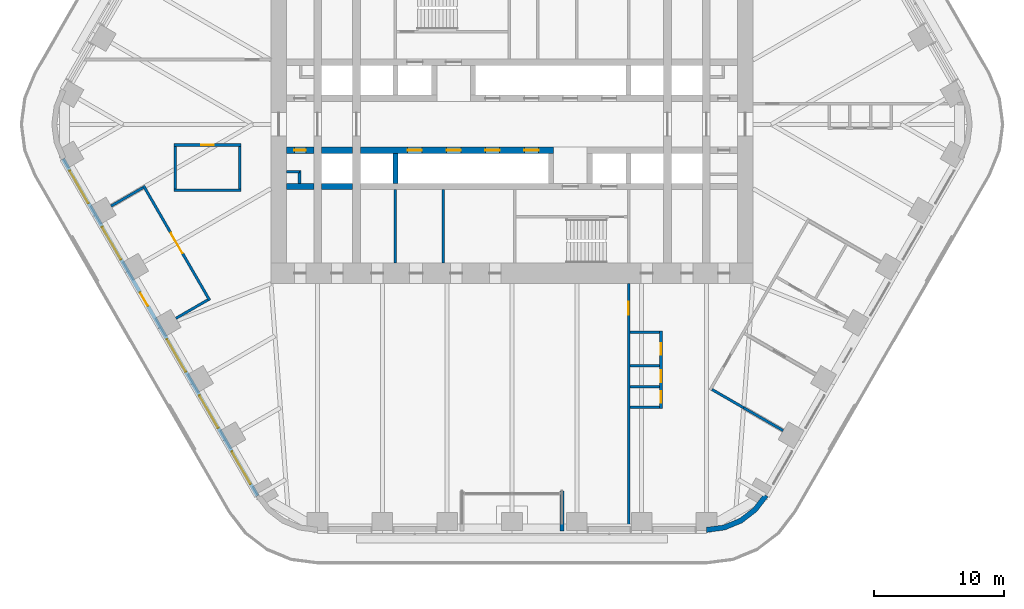
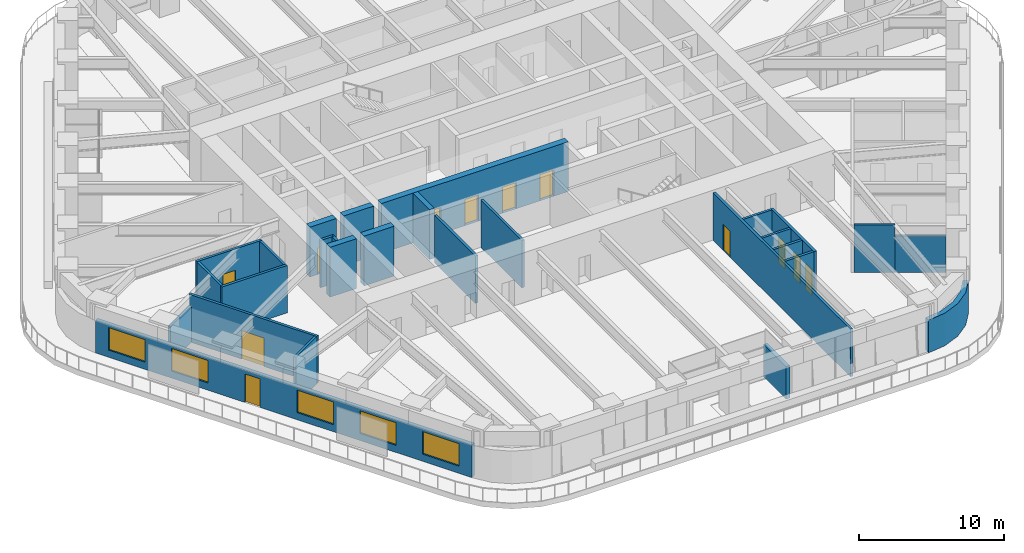
# One storey, part 17 of 24: 28 walls, 12 doors, 5 windows, 17 openings.
"""IFC4 building model written with IfcOpenShell, lengths in metres."""

from ifc_helpers import new_model, si_unit, direction, frame, frame_2d, origin, place, context, subcontext, project, spatial, polyline, rectangle, outline, extrude, material, layer, layer_set, type_object, element, fill, save


model = new_model("IFC4")

# Units and contexts
model_context = context("Model", 3, precision=1e-05, world=origin(), true_north=direction((0.0, 1.0)))
body_context = subcontext(model_context, "Body", "Model", "MODEL_VIEW")
ifc_project = project(units=[si_unit("LENGTHUNIT", "METRE"), si_unit("AREAUNIT", "SQUARE_METRE"), si_unit("VOLUMEUNIT", "CUBIC_METRE"), si_unit("PLANEANGLEUNIT", "RADIAN"), si_unit("MASSUNIT", "GRAM", prefix="KILO")], contexts=[model_context])

# Site, building, storey
site_placement = place(None, origin())
site = spatial("IfcSite", under=ifc_project, at=site_placement, CompositionType="ELEMENT")
building_placement = place(site_placement, origin())
building = spatial("IfcBuilding", under=site, at=building_placement, Name="Tarfa Lantern Tower", CompositionType="ELEMENT")
storey_placement = place(building_placement, frame((0.0, 0.0, 165.699951171875)))
storey = spatial("IfcBuildingStorey", under=building, at=storey_placement, Name="L37", CompositionType="ELEMENT", Elevation=165.699951171875)

# Wall, openings, door, windows
ifc_material_1 = material(Name="Limestone cladding on blockwork", Category="masonry")
ifc_layer_1 = layer(ifc_material_1, 0.300048828125)
ifc_layer_set_1 = layer_set([ifc_layer_1], Name="EW1 STONE-CLAD WALL 300")
wall_type_1 = type_object("IfcWallType", Name="EW1 STONE-CLAD WALL 300", PredefinedType="SOLIDWALL", material=ifc_layer_set_1)
wall_1_placement = place(storey_placement, frame((-34.655517578125, -2.675048828125, 0.0), z_axis=(0.0, 0.0, 1.0), x_axis=(0.500003084452, -0.866023622968, 0.0)))
wall_1 = element("IfcWall", 1, at=wall_1_placement, inside=storey, type_object=wall_type_1, Name="Stone wall SW", PredefinedType="SOLIDWALL", context=body_context, shape_type="SweptSolid", body=[
    extrude(rectangle(XDim=30.022216796875, YDim=0.300048828125, at=frame_2d((15.01123046875, 0.0))), origin(), (0.0, 0.0, 1.0), 2.75),
])
opening_1_placement = place(wall_1_placement, frame((1.0517578125, 0.0, 0.60009765625)))
opening_1 = element("IfcOpeningElement", 2, at=opening_1_placement, cuts=wall_1, Name="Opening W9", PredefinedType="OPENING", context=body_context, shape_type="SweptSolid", body=[
    extrude(rectangle(XDim=2.89990234375, YDim=1.89990234375, at=frame_2d((1.449951171875, 0.949951171875))), frame((0.0, 0.159912109375, 0.0), z_axis=(0.0, -1.0, 0.0), x_axis=(1.0, 0.0, 0.0)), (0.0, 0.0, 1.0), 0.320068359375),
])
opening_2_placement = place(wall_1_placement, frame((6.0556640625, 0.0, 0.60009765625)))
opening_2 = element("IfcOpeningElement", 3, at=opening_2_placement, cuts=wall_1, Name="Opening W9", PredefinedType="OPENING", context=body_context, shape_type="SweptSolid", body=[
    extrude(rectangle(XDim=2.89990234375, YDim=1.89990234375, at=frame_2d((1.449951171875, 0.949951171875))), frame((0.0, 0.159912109375, 0.0), z_axis=(0.0, -1.0, 0.0), x_axis=(1.0, 0.0, 0.0)), (0.0, 0.0, 1.0), 0.320068359375),
])
opening_3_placement = place(wall_1_placement, frame((11.9091796875, 0.0, 0.0)))
opening_3 = element("IfcOpeningElement", 4, at=opening_3_placement, cuts=wall_1, Name="Opening D52", PredefinedType="OPENING", context=body_context, shape_type="SweptSolid", body=[
    extrude(rectangle(XDim=1.199951171875, YDim=2.39990234375, at=frame_2d((0.60009765625, 1.199951171875))), frame((0.0, 0.159912109375, 0.0), z_axis=(0.0, -1.0, 0.0), x_axis=(1.0, 0.0, 0.0)), (0.0, 0.0, 1.0), 0.320068359375),
])
opening_4_placement = place(wall_1_placement, frame((16.06298828125, 0.0, 0.60009765625)))
opening_4 = element("IfcOpeningElement", 5, at=opening_4_placement, cuts=wall_1, Name="Opening W9", PredefinedType="OPENING", context=body_context, shape_type="SweptSolid", body=[
    extrude(rectangle(XDim=2.89990234375, YDim=1.89990234375, at=frame_2d((1.449951171875, 0.949951171875))), frame((0.0, 0.159912109375, 0.0), z_axis=(0.0, -1.0, 0.0), x_axis=(1.0, 0.0, 0.0)), (0.0, 0.0, 1.0), 0.320068359375),
])
opening_5_placement = place(wall_1_placement, frame((21.066650390625, 0.0, 0.60009765625)))
opening_5 = element("IfcOpeningElement", 6, at=opening_5_placement, cuts=wall_1, Name="Opening W9", PredefinedType="OPENING", context=body_context, shape_type="SweptSolid", body=[
    extrude(rectangle(XDim=2.89990234375, YDim=1.89990234375, at=frame_2d((1.449951171875, 0.949951171875))), frame((0.0, 0.159912109375, 0.0), z_axis=(0.0, -1.0, 0.0), x_axis=(1.0, 0.0, 0.0)), (0.0, 0.0, 1.0), 0.320068359375),
])
opening_6_placement = place(wall_1_placement, frame((26.0703125, 0.0, 0.60009765625)))
opening_6 = element("IfcOpeningElement", 7, at=opening_6_placement, cuts=wall_1, Name="Opening W9", PredefinedType="OPENING", context=body_context, shape_type="SweptSolid", body=[
    extrude(rectangle(XDim=2.89990234375, YDim=1.89990234375, at=frame_2d((1.449951171875, 0.949951171875))), frame((0.0, 0.159912109375, 0.0), z_axis=(0.0, -1.0, 0.0), x_axis=(1.0, 0.0, 0.0)), (0.0, 0.0, 1.0), 0.320068359375),
])
ifc_material_2 = material(Name="Aluminium framed glazed door", Category="aluminium")
door_type_1 = type_object("IfcDoorType", Name="BE3 BALCONY DOOR 1200x2400", OperationType="SINGLE_SWING_RIGHT", PredefinedType="DOOR", material=ifc_material_2)
door_1_placement = place(opening_3_placement, origin())
door_1 = element("IfcDoor", 8, at=door_1_placement, inside=storey, type_object=door_type_1, Name="Balcony door SW", OperationType="SINGLE_SWING_RIGHT", OverallHeight=2.39990234375, OverallWidth=1.199951171875, PredefinedType="DOOR", context=body_context, shape_type="SweptSolid", body=[
    extrude(rectangle(XDim=1.199951171875, YDim=2.39990234375, at=frame_2d((0.60009765625, 1.199951171875))), frame((0.0, 0.02490234375, 0.0), z_axis=(0.0, -1.0, 0.0), x_axis=(1.0, 0.0, 0.0)), (0.0, 0.0, 1.0), 0.050048828125),
])
fill(opening_3, door_1)
ifc_material_3 = material(Name="Aluminium frame, double glazed", Category="aluminium")
window_type = type_object("IfcWindowType", Name="W9 FULL-HEIGHT GLAZING 2900x1900", PartitioningType="SINGLE_PANEL", PredefinedType="WINDOW", material=ifc_material_3)
window_1_placement = place(opening_1_placement, origin())
window_1 = element("IfcWindow", 9, at=window_1_placement, inside=storey, type_object=window_type, Name="Window SW 1", OverallHeight=1.89990234375, OverallWidth=2.89990234375, PartitioningType="SINGLE_PANEL", PredefinedType="WINDOW", context=body_context, shape_type="SweptSolid", body=[
    extrude(rectangle(XDim=2.89990234375, YDim=1.89990234375, at=frame_2d((1.449951171875, 0.949951171875))), frame((0.0, 0.030029296875, 0.0), z_axis=(0.0, -1.0, 0.0), x_axis=(1.0, 0.0, 0.0)), (0.0, 0.0, 1.0), 0.06005859375),
])
fill(opening_1, window_1)
window_2_placement = place(opening_2_placement, origin())
window_2 = element("IfcWindow", 10, at=window_2_placement, inside=storey, type_object=window_type, Name="Window SW 2", OverallHeight=1.89990234375, OverallWidth=2.89990234375, PartitioningType="SINGLE_PANEL", PredefinedType="WINDOW", context=body_context, shape_type="SweptSolid", body=[
    extrude(rectangle(XDim=2.89990234375, YDim=1.89990234375, at=frame_2d((1.449951171875, 0.949951171875))), frame((0.0, 0.030029296875, 0.0), z_axis=(0.0, -1.0, 0.0), x_axis=(1.0, 0.0, 0.0)), (0.0, 0.0, 1.0), 0.06005859375),
])
fill(opening_2, window_2)
window_3_placement = place(opening_4_placement, origin())
window_3 = element("IfcWindow", 11, at=window_3_placement, inside=storey, type_object=window_type, Name="Window SW 4", OverallHeight=1.89990234375, OverallWidth=2.89990234375, PartitioningType="SINGLE_PANEL", PredefinedType="WINDOW", context=body_context, shape_type="SweptSolid", body=[
    extrude(rectangle(XDim=2.89990234375, YDim=1.89990234375, at=frame_2d((1.449951171875, 0.949951171875))), frame((0.0, 0.030029296875, 0.0), z_axis=(0.0, -1.0, 0.0), x_axis=(1.0, 0.0, 0.0)), (0.0, 0.0, 1.0), 0.06005859375),
])
fill(opening_4, window_3)
window_4_placement = place(opening_5_placement, origin())
window_4 = element("IfcWindow", 12, at=window_4_placement, inside=storey, type_object=window_type, Name="Window SW 5", OverallHeight=1.89990234375, OverallWidth=2.89990234375, PartitioningType="SINGLE_PANEL", PredefinedType="WINDOW", context=body_context, shape_type="SweptSolid", body=[
    extrude(rectangle(XDim=2.89990234375, YDim=1.89990234375, at=frame_2d((1.449951171875, 0.949951171875))), frame((0.0, 0.030029296875, 0.0), z_axis=(0.0, -1.0, 0.0), x_axis=(1.0, 0.0, 0.0)), (0.0, 0.0, 1.0), 0.06005859375),
])
fill(opening_5, window_4)
window_5_placement = place(opening_6_placement, origin())
window_5 = element("IfcWindow", 13, at=window_5_placement, inside=storey, type_object=window_type, Name="Window SW 6", OverallHeight=1.89990234375, OverallWidth=2.89990234375, PartitioningType="SINGLE_PANEL", PredefinedType="WINDOW", context=body_context, shape_type="SweptSolid", body=[
    extrude(rectangle(XDim=2.89990234375, YDim=1.89990234375, at=frame_2d((1.449951171875, 0.949951171875))), frame((0.0, 0.030029296875, 0.0), z_axis=(0.0, -1.0, 0.0), x_axis=(1.0, 0.0, 0.0)), (0.0, 0.0, 1.0), 0.06005859375),
])
fill(opening_6, window_5)

# Walls
wall_2_placement = place(storey_placement, frame((3.853759765625, -31.39990234375, 0.0), z_axis=(0.0, 0.0, 1.0), x_axis=(0.0, 1.0, 0.0)))
element("IfcWall", 14, at=wall_2_placement, inside=storey, type_object=wall_type_1, Name="Loggia return S 2", PredefinedType="SOLIDWALL", context=body_context, shape_type="SweptSolid", body=[
    extrude(rectangle(XDim=3.099853515625, YDim=0.300048828125, at=frame_2d((1.5498046875, 0.0))), origin(), (0.0, 0.0, 1.0), 2.75),
])
ifc_layer_2 = layer(ifc_material_1, 0.39990234375)
ifc_layer_set_2 = layer_set([ifc_layer_2], Name="EW2 CURVED STONE CORNER 400")
wall_type_2 = type_object("IfcWallType", Name="EW2 CURVED STONE CORNER 400", PredefinedType="SOLIDWALL", material=ifc_layer_set_2)
wall_3_placement = place(storey_placement, origin())
element("IfcWall", 15, at=wall_3_placement, inside=storey, type_object=wall_type_2, Name="Stone corner S-SE", PredefinedType="SOLIDWALL", context=body_context, shape_type="SweptSolid", body=[
    extrude(outline(polyline([(15.010986328125, -31.5), (16.4345703125, -31.3125), (17.760986328125, -30.76318359375), (18.900146484375, -29.88916015625), (19.774169921875, -28.75), (19.427734375, -28.550048828125), (18.617431640625, -29.606201171875), (17.56103515625, -30.416748046875), (16.3310546875, -30.92626953125), (15.010986328125, -31.10009765625), (15.010986328125, -31.5)])), origin(), (0.0, 0.0, 1.0), 2.75),
])
ifc_material_4 = material(Name="Concrete blockwork", Category="masonry")
ifc_layer_3 = layer(ifc_material_4, 0.199951171875)
ifc_layer_set_3 = layer_set([ifc_layer_3], Name="IW1 BLOCKWORK PARTITION 200 EI 120")
wall_type_3 = type_object("IfcWallType", Name="IW1 BLOCKWORK PARTITION 200 EI 120", PredefinedType="PARTITIONING", material=ifc_layer_set_3)
for number, where, z_axis, x_axis, name in (
    (16, (-9.0, -5.050048828125, 0.0), (0.0, 0.0, 1.0), (0.0, -1.0, 0.0), "Core partition"),
    (17, (-5.300048828125, -5.050048828125, 0.0), (0.0, 0.0, 1.0), (0.0, -1.0, 0.0), "Core partition"),
):
    element("IfcWall", number, at=place(storey_placement, frame(where, z_axis=z_axis, x_axis=x_axis)), inside=storey, type_object=wall_type_3, Name=name, PredefinedType="PARTITIONING", context=body_context, shape_type="SweptSolid", body=[
        extrude(rectangle(XDim=5.64990234375, YDim=0.199951171875, at=frame_2d((2.824951171875, 0.0))), origin(), (0.0, 0.0, 1.0), 4.0),
    ])
for number, where, z_axis, x_axis, name in (
    (18, (-16.39990234375, -3.64990234375, 0.0), (0.0, 0.0, 1.0), (-1.0, 0.0, 0.0), "Core partition"),
    (19, (-16.39990234375, -3.550048828125, 0.0), (0.0, 0.0, 1.0), (0.0, -1.0, 0.0), "Core partition"),
):
    element("IfcWall", number, at=place(storey_placement, frame(where, z_axis=z_axis, x_axis=x_axis)), inside=storey, type_object=wall_type_3, Name=name, PredefinedType="PARTITIONING", context=body_context, shape_type="SweptSolid", body=[
        extrude(rectangle(XDim=1.0, YDim=0.199951171875, at=frame_2d((0.5, 0.0))), origin(), (0.0, 0.0, 1.0), 4.0),
    ])
ifc_material_5 = material(Name="Gypsum board on steel studs", Category="steel")
ifc_layer_4 = layer(ifc_material_5, 0.2099609375)
ifc_layer_set_4 = layer_set([ifc_layer_4], Name="IW2 ACOUSTIC PARTITION 200")
wall_type_4 = type_object("IfcWallType", Name="IW2 ACOUSTIC PARTITION 200", PredefinedType="PARTITIONING", material=ifc_layer_set_4)
wall_4_placement = place(storey_placement, frame((15.4345703125, -20.466552734375, 0.0), z_axis=(0.0, 0.0, 1.0), x_axis=(0.866008320966, -0.500029587143, 0.0)))
element("IfcWall", 20, at=wall_4_placement, inside=storey, type_object=wall_type_4, Name="Partition", PredefinedType="PARTITIONING", context=body_context, shape_type="SweptSolid", body=[
    extrude(rectangle(XDim=2.821044921875, YDim=0.199951171875, at=frame_2d((1.41064453125, 0.0))), origin(), (0.0, 0.0, 1.0), 4.0),
])
wall_5_placement = place(storey_placement, frame((17.877685546875, -21.877197265625, 0.0), z_axis=(0.0, 0.0, 1.0), x_axis=(0.866033512162, -0.499985955615, 0.0)))
element("IfcWall", 21, at=wall_5_placement, inside=storey, type_object=wall_type_4, Name="Partition", PredefinedType="PARTITIONING", context=body_context, shape_type="SweptSolid", body=[
    extrude(rectangle(XDim=3.52880859375, YDim=0.199951171875, at=frame_2d((1.764404296875, 0.0))), origin(), (0.0, 0.0, 1.0), 3.08154296875),
])

# Wall, opening, door
wall_6_placement = place(storey_placement, frame((-28.436279296875, -4.746826171875, 0.0), z_axis=(0.0, 0.0, 1.0), x_axis=(0.499987468925, -0.866032638483, 0.0)))
wall_6 = element("IfcWall", 22, at=wall_6_placement, inside=storey, type_object=wall_type_4, Name="Partition", PredefinedType="PARTITIONING", context=body_context, shape_type="SweptSolid", body=[
    extrude(rectangle(XDim=10.207275390625, YDim=0.199951171875, at=frame_2d((5.103515625, 0.0))), origin(), (0.0, 0.0, 1.0), 4.0),
])
opening_7_placement = place(wall_6_placement, frame((4.20361328125, 0.0, 0.0)))
opening_7 = element("IfcOpeningElement", 23, at=opening_7_placement, cuts=wall_6, Name="Opening D37", PredefinedType="OPENING", context=body_context, shape_type="SweptSolid", body=[
    extrude(rectangle(XDim=1.800048828125, YDim=2.39990234375, at=frame_2d((0.89990234375, 1.199951171875))), frame((0.0, 0.10986328125, 0.0), z_axis=(0.0, -1.0, 0.0), x_axis=(1.0, 0.0, 0.0)), (0.0, 0.0, 1.0), 0.219970703125),
])
ifc_material_6 = material(Name="Timber door", Category="wood")
door_type_2 = type_object("IfcDoorType", Name="DR2 ROOM DOOR 1800x2400", OperationType="DOUBLE_DOOR_SINGLE_SWING", PredefinedType="DOOR", material=ifc_material_6)
door_2_placement = place(opening_7_placement, frame((1.800048828125, 0.0, 0.0), z_axis=(0.0, 0.0, 1.0), x_axis=(-1.0, 0.0, 0.0)))
door_2 = element("IfcDoor", 24, at=door_2_placement, inside=storey, type_object=door_type_2, Name="Evidence review room door", OperationType="DOUBLE_DOOR_SINGLE_SWING", OverallHeight=2.39990234375, OverallWidth=1.800048828125, PredefinedType="DOOR", context=body_context, shape_type="SweptSolid", body=[
    extrude(rectangle(XDim=1.800048828125, YDim=2.39990234375, at=frame_2d((0.89990234375, 1.199951171875))), frame((0.0, 0.02490234375, 0.0), z_axis=(0.0, -1.0, 0.0), x_axis=(1.0, 0.0, 0.0)), (0.0, 0.0, 1.0), 0.050048828125),
])
fill(opening_7, door_2)

# Walls
wall_7_placement = place(storey_placement, frame((-28.472900390625, -4.88330078125, 0.0), z_axis=(0.0, 0.0, 1.0), x_axis=(-0.866025820012, -0.499999279071, 0.0)))
element("IfcWall", 25, at=wall_7_placement, inside=storey, type_object=wall_type_4, Name="Partition", PredefinedType="PARTITIONING", context=body_context, shape_type="SweptSolid", body=[
    extrude(rectangle(XDim=2.85009765625, YDim=0.199951171875, at=frame_2d((1.425048828125, 0.0))), origin(), (0.0, 0.0, 1.0), 3.08154296875),
])
wall_8_placement = place(storey_placement, frame((-23.46923828125, -13.550048828125, 0.0), z_axis=(0.0, 0.0, 1.0), x_axis=(-0.866025820012, -0.499999279071, 0.0)))
element("IfcWall", 26, at=wall_8_placement, inside=storey, type_object=wall_type_4, Name="Partition", PredefinedType="PARTITIONING", context=body_context, shape_type="SweptSolid", body=[
    extrude(rectangle(XDim=2.85009765625, YDim=0.199951171875, at=frame_2d((1.425048828125, 0.0))), origin(), (0.0, 0.0, 1.0), 4.0),
])

# Wall, opening, door
wall_9_placement = place(storey_placement, frame((-20.89990234375, -1.60009765625, 0.0), z_axis=(0.0, 0.0, 1.0), x_axis=(-1.0, 0.0, 0.0)))
wall_9 = element("IfcWall", 27, at=wall_9_placement, inside=storey, type_object=wall_type_4, Name="Partition", PredefinedType="PARTITIONING", context=body_context, shape_type="SweptSolid", body=[
    extrude(rectangle(XDim=5.2001953125, YDim=0.199951171875, at=frame_2d((2.60009765625, 0.0))), origin(), (0.0, 0.0, 1.0), 4.0),
])
opening_8_placement = place(wall_9_placement, frame((2.10009765625, 0.0, 0.0)))
opening_8 = element("IfcOpeningElement", 28, at=opening_8_placement, cuts=wall_9, Name="Opening D38", PredefinedType="OPENING", context=body_context, shape_type="SweptSolid", body=[
    extrude(rectangle(XDim=1.0, YDim=2.199951171875, at=frame_2d((0.5, 1.10009765625))), frame((0.0, 0.10986328125, 0.0), z_axis=(0.0, -1.0, 0.0), x_axis=(1.0, 0.0, 0.0)), (0.0, 0.0, 1.0), 0.219970703125),
])
door_type_3 = type_object("IfcDoorType", Name="DR1 ROOM DOOR 1000x2200", OperationType="SINGLE_SWING_LEFT", PredefinedType="DOOR", material=ifc_material_6)
door_3_placement = place(opening_8_placement, origin())
door_3 = element("IfcDoor", 29, at=door_3_placement, inside=storey, type_object=door_type_3, Name="Pantry door", OperationType="SINGLE_SWING_RIGHT", OverallHeight=2.199951171875, OverallWidth=1.0, PredefinedType="DOOR", context=body_context, shape_type="SweptSolid", body=[
    extrude(rectangle(XDim=1.0, YDim=2.199951171875, at=frame_2d((0.5, 1.10009765625))), frame((0.0, 0.02490234375, 0.0), z_axis=(0.0, -1.0, 0.0), x_axis=(1.0, 0.0, 0.0)), (0.0, 0.0, 1.0), 0.050048828125),
])
fill(opening_8, door_3)

# Walls
wall_10_placement = place(storey_placement, frame((-20.89990234375, -5.10009765625, 0.0), z_axis=(0.0, 0.0, 1.0), x_axis=(-1.0, 0.0, 0.0)))
element("IfcWall", 30, at=wall_10_placement, inside=storey, type_object=wall_type_4, Name="Partition", PredefinedType="PARTITIONING", context=body_context, shape_type="SweptSolid", body=[
    extrude(rectangle(XDim=5.2001953125, YDim=0.199951171875, at=frame_2d((2.60009765625, 0.0))), origin(), (0.0, 0.0, 1.0), 4.0),
])
for number, where, z_axis, x_axis, name in (
    (31, (-21.0, -1.699951171875, 0.0), (0.0, 0.0, 1.0), (0.0, -1.0, 0.0), "Partition"),
    (32, (-26.0, -1.699951171875, 0.0), (0.0, 0.0, 1.0), (0.0, -1.0, 0.0), "Partition"),
):
    element("IfcWall", number, at=place(storey_placement, frame(where, z_axis=z_axis, x_axis=x_axis)), inside=storey, type_object=wall_type_4, Name=name, PredefinedType="PARTITIONING", context=body_context, shape_type="SweptSolid", body=[
        extrude(rectangle(XDim=3.300048828125, YDim=0.199951171875, at=frame_2d((1.64990234375, 0.0))), origin(), (0.0, 0.0, 1.0), 4.0),
    ])

# Wall, opening, door
wall_11_placement = place(storey_placement, frame((9.0, -12.300048828125, 0.0), z_axis=(0.0, 0.0, 1.0), x_axis=(0.0, -1.0, 0.0)))
wall_11 = element("IfcWall", 33, at=wall_11_placement, inside=storey, type_object=wall_type_4, Name="Partition", PredefinedType="PARTITIONING", context=body_context, shape_type="SweptSolid", body=[
    extrude(rectangle(XDim=19.0, YDim=0.199951171875, at=frame_2d((9.5, 0.0))), origin(), (0.0, 0.0, 1.0), 4.0),
])
opening_9_placement = place(wall_11_placement, frame((1.39990234375, 0.0, 0.0)))
opening_9 = element("IfcOpeningElement", 34, at=opening_9_placement, cuts=wall_11, Name="Opening D48", PredefinedType="OPENING", context=body_context, shape_type="SweptSolid", body=[
    extrude(rectangle(XDim=1.0, YDim=2.199951171875, at=frame_2d((0.5, 1.10009765625))), frame((0.0, 0.10986328125, 0.0), z_axis=(0.0, -1.0, 0.0), x_axis=(1.0, 0.0, 0.0)), (0.0, 0.0, 1.0), 0.219970703125),
])
door_4_placement = place(opening_9_placement, origin())
door_4 = element("IfcDoor", 35, at=door_4_placement, inside=storey, type_object=door_type_3, Name="Zone door", OperationType="SINGLE_SWING_LEFT", OverallHeight=2.199951171875, OverallWidth=1.0, PredefinedType="DOOR", context=body_context, shape_type="SweptSolid", body=[
    extrude(rectangle(XDim=1.0, YDim=2.199951171875, at=frame_2d((0.5, 1.10009765625))), frame((0.0, 0.02490234375, 0.0), z_axis=(0.0, -1.0, 0.0), x_axis=(1.0, 0.0, 0.0)), (0.0, 0.0, 1.0), 0.050048828125),
])
fill(opening_9, door_4)

# Wall, openings, doors
wall_12_placement = place(storey_placement, frame((11.5, -15.949951171875, 0.0), z_axis=(0.0, 0.0, 1.0), x_axis=(0.0, -1.0, 0.0)))
wall_12 = element("IfcWall", 36, at=wall_12_placement, inside=storey, type_object=wall_type_4, Name="Partition", PredefinedType="PARTITIONING", context=body_context, shape_type="SweptSolid", body=[
    extrude(rectangle(XDim=6.0, YDim=0.199951171875, at=frame_2d((3.0, 0.0))), origin(), (0.0, 0.0, 1.0), 4.0),
])
opening_10_placement = place(wall_12_placement, frame((0.949951171875, 0.0, 0.0)))
opening_10 = element("IfcOpeningElement", 37, at=opening_10_placement, cuts=wall_12, Name="Opening D41", PredefinedType="OPENING", context=body_context, shape_type="SweptSolid", body=[
    extrude(rectangle(XDim=0.89990234375, YDim=2.199951171875, at=frame_2d((0.449951171875, 1.10009765625))), frame((0.0, 0.10986328125, 0.0), z_axis=(0.0, -1.0, 0.0), x_axis=(1.0, 0.0, 0.0)), (0.0, 0.0, 1.0), 0.219970703125),
])
opening_11_placement = place(wall_12_placement, frame((3.050048828125, 0.0, 0.0)))
opening_11 = element("IfcOpeningElement", 38, at=opening_11_placement, cuts=wall_12, Name="Opening D42", PredefinedType="OPENING", context=body_context, shape_type="SweptSolid", body=[
    extrude(rectangle(XDim=0.89990234375, YDim=2.199951171875, at=frame_2d((0.449951171875, 1.10009765625))), frame((0.0, 0.10986328125, 0.0), z_axis=(0.0, -1.0, 0.0), x_axis=(1.0, 0.0, 0.0)), (0.0, 0.0, 1.0), 0.219970703125),
])
opening_12_placement = place(wall_12_placement, frame((4.64990234375, 0.0, 0.0)))
opening_12 = element("IfcOpeningElement", 39, at=opening_12_placement, cuts=wall_12, Name="Opening D43", PredefinedType="OPENING", context=body_context, shape_type="SweptSolid", body=[
    extrude(rectangle(XDim=0.89990234375, YDim=2.199951171875, at=frame_2d((0.449951171875, 1.10009765625))), frame((0.0, 0.10986328125, 0.0), z_axis=(0.0, -1.0, 0.0), x_axis=(1.0, 0.0, 0.0)), (0.0, 0.0, 1.0), 0.219970703125),
])
door_type_4 = type_object("IfcDoorType", Name="DR3 ROOM DOOR 900x2200", OperationType="SINGLE_SWING_LEFT", PredefinedType="DOOR", material=ifc_material_6)
door_5_placement = place(opening_10_placement, frame((0.89990234375, 0.0, 0.0), z_axis=(0.0, 0.0, 1.0), x_axis=(-1.0, 0.0, 0.0)))
door_5 = element("IfcDoor", 40, at=door_5_placement, inside=storey, type_object=door_type_4, Name="Print and copy room door", OperationType="SINGLE_SWING_LEFT", OverallHeight=2.199951171875, OverallWidth=0.89990234375, PredefinedType="DOOR", context=body_context, shape_type="SweptSolid", body=[
    extrude(rectangle(XDim=0.89990234375, YDim=2.199951171875, at=frame_2d((0.449951171875, 1.10009765625))), frame((0.0, 0.02490234375, 0.0), z_axis=(0.0, -1.0, 0.0), x_axis=(1.0, 0.0, 0.0)), (0.0, 0.0, 1.0), 0.050048828125),
])
fill(opening_10, door_5)
door_6_placement = place(opening_11_placement, frame((0.89990234375, 0.0, 0.0), z_axis=(0.0, 0.0, 1.0), x_axis=(-1.0, 0.0, 0.0)))
door_6 = element("IfcDoor", 41, at=door_6_placement, inside=storey, type_object=door_type_4, Name="Phone booth door", OperationType="SINGLE_SWING_RIGHT", OverallHeight=2.199951171875, OverallWidth=0.89990234375, PredefinedType="DOOR", context=body_context, shape_type="SweptSolid", body=[
    extrude(rectangle(XDim=0.89990234375, YDim=2.199951171875, at=frame_2d((0.449951171875, 1.10009765625))), frame((0.0, 0.02490234375, 0.0), z_axis=(0.0, -1.0, 0.0), x_axis=(1.0, 0.0, 0.0)), (0.0, 0.0, 1.0), 0.050048828125),
])
fill(opening_11, door_6)
door_7_placement = place(opening_12_placement, frame((0.89990234375, 0.0, 0.0), z_axis=(0.0, 0.0, 1.0), x_axis=(-1.0, 0.0, 0.0)))
door_7 = element("IfcDoor", 42, at=door_7_placement, inside=storey, type_object=door_type_4, Name="Phone booth door", OperationType="SINGLE_SWING_RIGHT", OverallHeight=2.199951171875, OverallWidth=0.89990234375, PredefinedType="DOOR", context=body_context, shape_type="SweptSolid", body=[
    extrude(rectangle(XDim=0.89990234375, YDim=2.199951171875, at=frame_2d((0.449951171875, 1.10009765625))), frame((0.0, 0.02490234375, 0.0), z_axis=(0.0, -1.0, 0.0), x_axis=(1.0, 0.0, 0.0)), (0.0, 0.0, 1.0), 0.050048828125),
])
fill(opening_12, door_7)

# Walls
for number, where, z_axis, x_axis, name in (
    (43, (9.10009765625, -16.050048828125, 0.0), (0.0, 0.0, 1.0), (1.0, 0.0, 0.0), "Partition"),
    (44, (9.10009765625, -18.64990234375, 0.0), (0.0, 0.0, 1.0), (1.0, 0.0, 0.0), "Partition"),
    (45, (9.10009765625, -20.25, 0.0), (0.0, 0.0, 1.0), (1.0, 0.0, 0.0), "Partition"),
    (46, (9.10009765625, -21.85009765625, 0.0), (0.0, 0.0, 1.0), (1.0, 0.0, 0.0), "Partition"),
):
    element("IfcWall", number, at=place(storey_placement, frame(where, z_axis=z_axis, x_axis=x_axis)), inside=storey, type_object=wall_type_4, Name=name, PredefinedType="PARTITIONING", context=body_context, shape_type="SweptSolid", body=[
        extrude(rectangle(XDim=2.2998046875, YDim=0.199951171875, at=frame_2d((1.14990234375, 0.0))), origin(), (0.0, 0.0, 1.0), 4.0),
    ])

# Wall, openings, doors
ifc_material_7 = material(Name="Concrete C80/95", Category="concrete")
ifc_layer_5 = layer(ifc_material_7, 0.5)
ifc_layer_set_5 = layer_set([ifc_layer_5], Name="SW5 CORE WALL 500")
wall_type_5 = type_object("IfcWallType", Name="SW5 CORE WALL 500", PredefinedType="SHEAR", material=ifc_layer_set_5)
wall_13_placement = place(storey_placement, frame((3.199951171875, -2.0, 0.0), z_axis=(0.0, 0.0, 1.0), x_axis=(-1.0, 0.0, 0.0)))
wall_13 = element("IfcWall", 47, at=wall_13_placement, inside=storey, type_object=wall_type_5, Name="Core wall lobby east S", PredefinedType="SHEAR", context=body_context, shape_type="SweptSolid", body=[
    extrude(rectangle(XDim=14.89990234375, YDim=0.5, at=frame_2d((7.449951171875, 0.0))), origin(), (0.0, 0.0, 1.0), 4.199951171875),
])
opening_13_placement = place(wall_13_placement, frame((1.14990234375, 0.0, 0.0)))
opening_13 = element("IfcOpeningElement", 48, at=opening_13_placement, cuts=wall_13, Name="Opening LD07", PredefinedType="OPENING", context=body_context, shape_type="SweptSolid", body=[
    extrude(rectangle(XDim=1.10009765625, YDim=2.199951171875, at=frame_2d((0.550048828125, 1.10009765625))), frame((0.0, 0.260009765625, 0.0), z_axis=(0.0, -1.0, 0.0), x_axis=(1.0, 0.0, 0.0)), (0.0, 0.0, 1.0), 0.52001953125),
])
opening_14_placement = place(wall_13_placement, frame((4.14990234375, 0.0, 0.0)))
opening_14 = element("IfcOpeningElement", 49, at=opening_14_placement, cuts=wall_13, Name="Opening LD08", PredefinedType="OPENING", context=body_context, shape_type="SweptSolid", body=[
    extrude(rectangle(XDim=1.10009765625, YDim=2.199951171875, at=frame_2d((0.550048828125, 1.10009765625))), frame((0.0, 0.260009765625, 0.0), z_axis=(0.0, -1.0, 0.0), x_axis=(1.0, 0.0, 0.0)), (0.0, 0.0, 1.0), 0.52001953125),
])
opening_15_placement = place(wall_13_placement, frame((7.14990234375, 0.0, 0.0)))
opening_15 = element("IfcOpeningElement", 50, at=opening_15_placement, cuts=wall_13, Name="Opening LD09", PredefinedType="OPENING", context=body_context, shape_type="SweptSolid", body=[
    extrude(rectangle(XDim=1.10009765625, YDim=2.199951171875, at=frame_2d((0.550048828125, 1.10009765625))), frame((0.0, 0.260009765625, 0.0), z_axis=(0.0, -1.0, 0.0), x_axis=(1.0, 0.0, 0.0)), (0.0, 0.0, 1.0), 0.52001953125),
])
opening_16_placement = place(wall_13_placement, frame((10.14990234375, 0.0, 0.0)))
opening_16 = element("IfcOpeningElement", 51, at=opening_16_placement, cuts=wall_13, Name="Opening LD10", PredefinedType="OPENING", context=body_context, shape_type="SweptSolid", body=[
    extrude(rectangle(XDim=1.10009765625, YDim=2.199951171875, at=frame_2d((0.550048828125, 1.10009765625))), frame((0.0, 0.260009765625, 0.0), z_axis=(0.0, -1.0, 0.0), x_axis=(1.0, 0.0, 0.0)), (0.0, 0.0, 1.0), 0.52001953125),
])
ifc_material_8 = material(Name="Stainless steel lift door", Category="steel")
door_type_5 = type_object("IfcDoorType", Name="LD2 LIFT LANDING DOOR 1100x2200", OperationType="SLIDING_TO_LEFT", PredefinedType="DOOR", material=ifc_material_8)
door_8_placement = place(opening_13_placement, frame((1.10009765625, 0.0, 0.0), z_axis=(0.0, 0.0, 1.0), x_axis=(-1.0, 0.0, 0.0)))
door_8 = element("IfcDoor", 52, at=door_8_placement, inside=storey, type_object=door_type_5, Name="Landing door PB5", OperationType="SLIDING_TO_LEFT", OverallHeight=2.199951171875, OverallWidth=1.10009765625, PredefinedType="DOOR", context=body_context, shape_type="SweptSolid", body=[
    extrude(rectangle(XDim=1.10009765625, YDim=2.199951171875, at=frame_2d((0.550048828125, 1.10009765625))), frame((0.0, 0.02490234375, 0.0), z_axis=(0.0, -1.0, 0.0), x_axis=(1.0, 0.0, 0.0)), (0.0, 0.0, 1.0), 0.050048828125),
])
fill(opening_13, door_8)
door_9_placement = place(opening_14_placement, frame((1.10009765625, 0.0, 0.0), z_axis=(0.0, 0.0, 1.0), x_axis=(-1.0, 0.0, 0.0)))
door_9 = element("IfcDoor", 53, at=door_9_placement, inside=storey, type_object=door_type_5, Name="Landing door PB6", OperationType="SLIDING_TO_LEFT", OverallHeight=2.199951171875, OverallWidth=1.10009765625, PredefinedType="DOOR", context=body_context, shape_type="SweptSolid", body=[
    extrude(rectangle(XDim=1.10009765625, YDim=2.199951171875, at=frame_2d((0.550048828125, 1.10009765625))), frame((0.0, 0.02490234375, 0.0), z_axis=(0.0, -1.0, 0.0), x_axis=(1.0, 0.0, 0.0)), (0.0, 0.0, 1.0), 0.050048828125),
])
fill(opening_14, door_9)
door_10_placement = place(opening_15_placement, frame((1.10009765625, 0.0, 0.0), z_axis=(0.0, 0.0, 1.0), x_axis=(-1.0, 0.0, 0.0)))
door_10 = element("IfcDoor", 54, at=door_10_placement, inside=storey, type_object=door_type_5, Name="Landing door PB7", OperationType="SLIDING_TO_LEFT", OverallHeight=2.199951171875, OverallWidth=1.10009765625, PredefinedType="DOOR", context=body_context, shape_type="SweptSolid", body=[
    extrude(rectangle(XDim=1.10009765625, YDim=2.199951171875, at=frame_2d((0.550048828125, 1.10009765625))), frame((0.0, 0.02490234375, 0.0), z_axis=(0.0, -1.0, 0.0), x_axis=(1.0, 0.0, 0.0)), (0.0, 0.0, 1.0), 0.050048828125),
])
fill(opening_15, door_10)
door_11_placement = place(opening_16_placement, frame((1.10009765625, 0.0, 0.0), z_axis=(0.0, 0.0, 1.0), x_axis=(-1.0, 0.0, 0.0)))
door_11 = element("IfcDoor", 55, at=door_11_placement, inside=storey, type_object=door_type_5, Name="Landing door PB8", OperationType="SLIDING_TO_LEFT", OverallHeight=2.199951171875, OverallWidth=1.10009765625, PredefinedType="DOOR", context=body_context, shape_type="SweptSolid", body=[
    extrude(rectangle(XDim=1.10009765625, YDim=2.199951171875, at=frame_2d((0.550048828125, 1.10009765625))), frame((0.0, 0.02490234375, 0.0), z_axis=(0.0, -1.0, 0.0), x_axis=(1.0, 0.0, 0.0)), (0.0, 0.0, 1.0), 0.050048828125),
])
fill(opening_16, door_11)

# Wall
wall_14_placement = place(storey_placement, frame((-12.300048828125, -2.0, 0.0), z_axis=(0.0, 0.0, 1.0), x_axis=(-1.0, 0.0, 0.0)))
element("IfcWall", 56, at=wall_14_placement, inside=storey, type_object=wall_type_5, Name="Core wall lobby east S", PredefinedType="SHEAR", context=body_context, shape_type="SweptSolid", body=[
    extrude(rectangle(XDim=2.39990234375, YDim=0.5, at=frame_2d((1.199951171875, 0.0))), origin(), (0.0, 0.0, 1.0), 4.199951171875),
])

# Wall, opening, door
wall_15_placement = place(storey_placement, frame((-15.300048828125, -2.0, 0.0), z_axis=(0.0, 0.0, 1.0), x_axis=(-1.0, 0.0, 0.0)))
wall_15 = element("IfcWall", 57, at=wall_15_placement, inside=storey, type_object=wall_type_5, Name="Core wall lobby east S", PredefinedType="SHEAR", context=body_context, shape_type="SweptSolid", body=[
    extrude(rectangle(XDim=2.099853515625, YDim=0.5, at=frame_2d((1.0498046875, 0.0))), origin(), (0.0, 0.0, 1.0), 4.199951171875),
])
opening_17_placement = place(wall_15_placement, frame((0.60009765625, 0.0, 0.0)))
opening_17 = element("IfcOpeningElement", 58, at=opening_17_placement, cuts=wall_15, Name="Opening D18", PredefinedType="OPENING", context=body_context, shape_type="SweptSolid", body=[
    extrude(rectangle(XDim=0.89990234375, YDim=2.199951171875, at=frame_2d((0.449951171875, 1.10009765625))), frame((0.0, 0.260009765625, 0.0), z_axis=(0.0, -1.0, 0.0), x_axis=(1.0, 0.0, 0.0)), (0.0, 0.0, 1.0), 0.52001953125),
])
ifc_material_9 = material(Name="Steel fire door", Category="steel")
door_type_6 = type_object("IfcDoorType", Name="DF6 SERVICE ROOM DOOR 900x2200", OperationType="SINGLE_SWING_LEFT", PredefinedType="DOOR", material=ifc_material_9)
door_12_placement = place(opening_17_placement, origin())
door_12 = element("IfcDoor", 59, at=door_12_placement, inside=storey, type_object=door_type_6, Name="Service room door", OperationType="SINGLE_SWING_LEFT", OverallHeight=2.199951171875, OverallWidth=0.89990234375, PredefinedType="DOOR", context=body_context, shape_type="SweptSolid", body=[
    extrude(rectangle(XDim=0.89990234375, YDim=2.199951171875, at=frame_2d((0.449951171875, 1.10009765625))), frame((0.0, 0.02490234375, 0.0), z_axis=(0.0, -1.0, 0.0), x_axis=(1.0, 0.0, 0.0)), (0.0, 0.0, 1.0), 0.050048828125),
])
fill(opening_17, door_12)

# Walls
wall_16_placement = place(storey_placement, frame((-12.300048828125, -4.800048828125, 0.0), z_axis=(0.0, 0.0, 1.0), x_axis=(-1.0, 0.0, 0.0)))
element("IfcWall", 60, at=wall_16_placement, inside=storey, type_object=wall_type_5, Name="Core wall rear S", PredefinedType="SHEAR", context=body_context, shape_type="SweptSolid", body=[
    extrude(rectangle(XDim=2.39990234375, YDim=0.5, at=frame_2d((1.199951171875, 0.0))), origin(), (0.0, 0.0, 1.0), 4.199951171875),
])
wall_17_placement = place(storey_placement, frame((-15.300048828125, -4.800048828125, 0.0), z_axis=(0.0, 0.0, 1.0), x_axis=(-1.0, 0.0, 0.0)))
element("IfcWall", 61, at=wall_17_placement, inside=storey, type_object=wall_type_5, Name="Core wall rear S", PredefinedType="SHEAR", context=body_context, shape_type="SweptSolid", body=[
    extrude(rectangle(XDim=2.099853515625, YDim=0.5, at=frame_2d((1.0498046875, 0.0))), origin(), (0.0, 0.0, 1.0), 4.199951171875),
])
ifc_layer_6 = layer(ifc_material_7, 0.39990234375)
ifc_layer_set_6 = layer_set([ifc_layer_6], Name="SW6 CORE WALL 400")
wall_type_6 = type_object("IfcWallType", Name="SW6 CORE WALL 400", PredefinedType="SHEAR", material=ifc_layer_set_6)
wall_18_placement = place(storey_placement, frame((-9.0, -2.25, 0.0), z_axis=(0.0, 0.0, 1.0), x_axis=(0.0, -1.0, 0.0)))
element("IfcWall", 62, at=wall_18_placement, inside=storey, type_object=wall_type_6, Name="Core wall divider S", PredefinedType="SHEAR", context=body_context, shape_type="SweptSolid", body=[
    extrude(rectangle(XDim=2.300048828125, YDim=0.39990234375, at=frame_2d((1.14990234375, 0.0))), origin(), (0.0, 0.0, 1.0), 4.199951171875),
])

save(model, "model.ifc")
